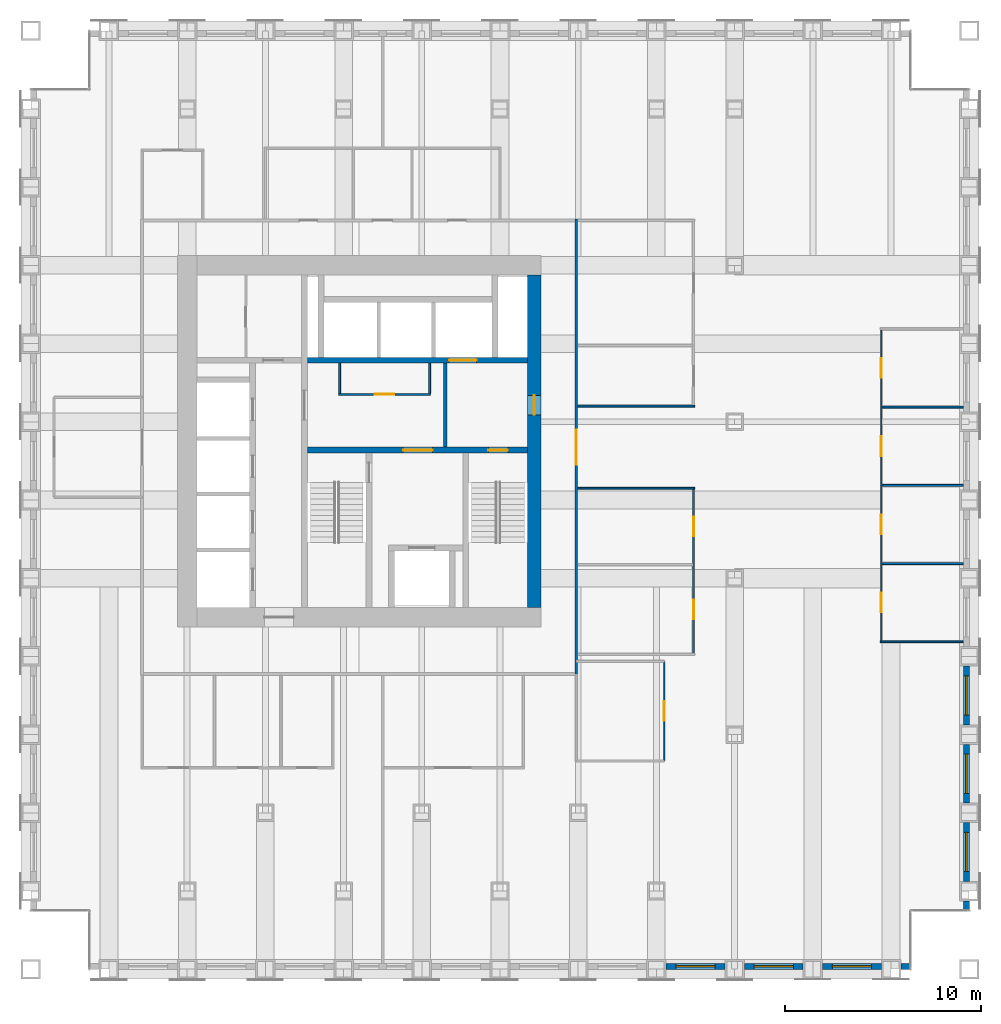
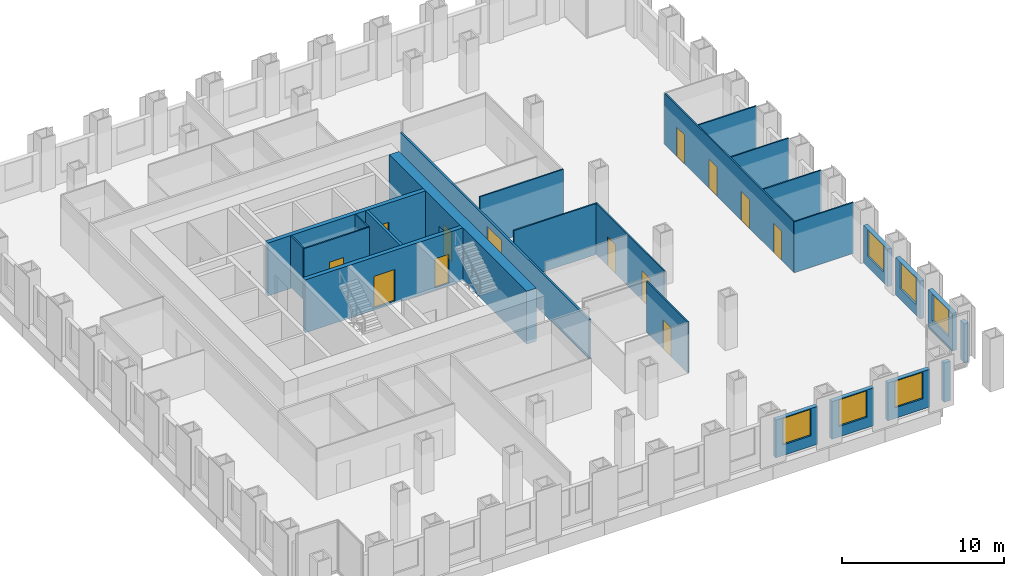
# One storey, part 12 of 16: 25 walls, 13 doors, 6 windows, 19 openings.
"""IFC4 building model written with IfcOpenShell, lengths in metres."""

from ifc_helpers import new_model, si_unit, direction, frame, frame_2d, origin, place, context, subcontext, project, spatial, rectangle, extrude, material, layer, layer_set, type_object, element, fill, save


model = new_model("IFC4")

# Units and contexts
model_context = context("Model", 3, precision=1e-05, world=origin(), true_north=direction((0.0, 1.0)))
body_context = subcontext(model_context, "Body", "Model", "MODEL_VIEW")
ifc_project = project(units=[si_unit("LENGTHUNIT", "METRE"), si_unit("AREAUNIT", "SQUARE_METRE"), si_unit("VOLUMEUNIT", "CUBIC_METRE"), si_unit("PLANEANGLEUNIT", "RADIAN"), si_unit("MASSUNIT", "GRAM", prefix="KILO")], contexts=[model_context])

# Site, building, storey
site_placement = place(None, origin())
site = spatial("IfcSite", under=ifc_project, at=site_placement, CompositionType="ELEMENT")
building_placement = place(site_placement, origin())
building = spatial("IfcBuilding", under=site, at=building_placement, Name="Rimbunsela Tower", CompositionType="ELEMENT")
storey_placement = place(building_placement, frame((0.0, 0.0, 85.39990234375)))
storey = spatial("IfcBuildingStorey", under=building, at=storey_placement, Name="L20", CompositionType="ELEMENT", Elevation=85.39990234375)

# Wall, openings, doors
ifc_material_1 = material(Name="Concrete fc' 80 MPa", Category="concrete")
ifc_layer_1 = layer(ifc_material_1, 0.300048828125)
ifc_layer_set_1 = layer_set([ifc_layer_1], Name="Core internal wall 300")
wall_type_1 = type_object("IfcWallType", Name="Core internal wall 300", PredefinedType="SHEAR", material=ifc_layer_set_1)
wall_1_placement = place(storey_placement, frame((24.14990234375, 26.550048828125, -0.14990234375), z_axis=(0.0, 0.0, 1.0), x_axis=(1.0, 0.0, 0.0)))
wall_1 = element("IfcWall", 1, at=wall_1_placement, inside=storey, type_object=wall_type_1, Name="Core wall lobby south", PredefinedType="SHEAR", context=body_context, shape_type="SweptSolid", body=[
    extrude(rectangle(XDim=11.25, YDim=0.300048828125, at=frame_2d((5.625, 0.0))), origin(), (0.0, 0.0, 1.0), 4.0),
])
opening_1_placement = place(wall_1_placement, frame((9.25, 0.0, 0.14990234375)))
opening_1 = element("IfcOpeningElement", 2, at=opening_1_placement, cuts=wall_1, Name="Opening D01", PredefinedType="OPENING", context=body_context, shape_type="SweptSolid", body=[
    extrude(rectangle(XDim=1.0, YDim=2.199951171875, at=frame_2d((0.5, 1.10009765625))), frame((0.0, 0.159912109375, 0.0), z_axis=(0.0, -1.0, 0.0), x_axis=(1.0, 0.0, 0.0)), (0.0, 0.0, 1.0), 0.320068359375),
])
opening_2_placement = place(wall_1_placement, frame((4.89990234375, 0.0, 0.14990234375)))
opening_2 = element("IfcOpeningElement", 3, at=opening_2_placement, cuts=wall_1, Name="Opening D03", PredefinedType="OPENING", context=body_context, shape_type="SweptSolid", body=[
    extrude(rectangle(XDim=1.5, YDim=2.39990234375, at=frame_2d((0.75, 1.199951171875))), frame((0.0, 0.159912109375, 0.0), z_axis=(0.0, -1.0, 0.0), x_axis=(1.0, 0.0, 0.0)), (0.0, 0.0, 1.0), 0.320068359375),
])
ifc_material_2 = material(Name="Steel door, fire rated", Category="steel")
door_type_1 = type_object("IfcDoorType", Name="Core lobby door 1500", OperationType="DOUBLE_DOOR_DOUBLE_SWING", PredefinedType="DOOR", material=ifc_material_2)
door_1_placement = place(opening_2_placement, origin())
door_1 = element("IfcDoor", 4, at=door_1_placement, inside=storey, type_object=door_type_1, Name="Firefighting lobby door", OperationType="DOUBLE_DOOR_DOUBLE_SWING", OverallHeight=2.39990234375, OverallWidth=1.5, PredefinedType="DOOR", context=body_context, shape_type="SweptSolid", body=[
    extrude(rectangle(XDim=1.5, YDim=2.39990234375, at=frame_2d((0.75, 1.199951171875))), frame((0.0, 0.02490234375, 0.0), z_axis=(0.0, -1.0, 0.0), x_axis=(1.0, 0.0, 0.0)), (0.0, 0.0, 1.0), 0.050048828125),
])
fill(opening_2, door_1)
ifc_material_3 = material(Name="Steel door, fire rated", Category="steel")
door_type_2 = type_object("IfcDoorType", Name="Stair door 1000", OperationType="SINGLE_SWING_RIGHT", PredefinedType="DOOR", material=ifc_material_3)
door_2_placement = place(opening_1_placement, frame((1.0, 0.0, 0.0), z_axis=(0.0, 0.0, 1.0), x_axis=(-1.0, 0.0, 0.0)))
door_2 = element("IfcDoor", 5, at=door_2_placement, inside=storey, type_object=door_type_2, Name="Stair B door", OperationType="SINGLE_SWING_RIGHT", OverallHeight=2.199951171875, OverallWidth=1.0, PredefinedType="DOOR", context=body_context, shape_type="SweptSolid", body=[
    extrude(rectangle(XDim=1.0, YDim=2.199951171875, at=frame_2d((0.5, 1.10009765625))), frame((0.0, 0.02490234375, 0.0), z_axis=(0.0, -1.0, 0.0), x_axis=(1.0, 0.0, 0.0)), (0.0, 0.0, 1.0), 0.050048828125),
])
fill(opening_1, door_2)

# Wall, opening, door
wall_2_placement = place(storey_placement, frame((24.14990234375, 31.14990234375, -0.14990234375), z_axis=(0.0, 0.0, 1.0), x_axis=(1.0, 0.0, 0.0)))
wall_2 = element("IfcWall", 6, at=wall_2_placement, inside=storey, type_object=wall_type_1, Name="Lift shaft front north", PredefinedType="SHEAR", context=body_context, shape_type="SweptSolid", body=[
    extrude(rectangle(XDim=11.25, YDim=0.300048828125, at=frame_2d((5.625, 0.0))), origin(), (0.0, 0.0, 1.0), 4.0),
])
opening_3_placement = place(wall_2_placement, frame((7.25, 0.0, 0.14990234375)))
opening_3 = element("IfcOpeningElement", 7, at=opening_3_placement, cuts=wall_2, Name="Opening LD3", PredefinedType="OPENING", context=body_context, shape_type="SweptSolid", body=[
    extrude(rectangle(XDim=1.39990234375, YDim=2.39990234375, at=frame_2d((0.699951171875, 1.199951171875))), frame((0.0, 0.159912109375, 0.0), z_axis=(0.0, -1.0, 0.0), x_axis=(1.0, 0.0, 0.0)), (0.0, 0.0, 1.0), 0.320068359375),
])
ifc_material_4 = material(Name="Steel door, fire rated", Category="steel")
door_type_3 = type_object("IfcDoorType", Name="Lift landing door 1400", OperationType="DOUBLE_DOOR_SLIDING", PredefinedType="DOOR", material=ifc_material_4)
door_3_placement = place(opening_3_placement, origin())
door_3 = element("IfcDoor", 8, at=door_3_placement, inside=storey, type_object=door_type_3, Name="Lift landing door FL2", OperationType="DOUBLE_DOOR_SLIDING", OverallHeight=2.39990234375, OverallWidth=1.39990234375, PredefinedType="DOOR", context=body_context, shape_type="SweptSolid", body=[
    extrude(rectangle(XDim=1.39990234375, YDim=2.39990234375, at=frame_2d((0.699951171875, 1.199951171875))), frame((0.0, 0.02490234375, 0.0), z_axis=(0.0, -1.0, 0.0), x_axis=(1.0, 0.0, 0.0)), (0.0, 0.0, 1.0), 0.050048828125),
])
fill(opening_3, door_3)

ifc_material_5 = material(Name="Concrete blockwork", Category="masonry")
ifc_layer_2 = layer(ifc_material_5, 0.10009765625)
ifc_layer_set_2 = layer_set([ifc_layer_2], Name="Core room partition 100")
wall_type_2 = type_object("IfcWallType", Name="Core room partition 100", PredefinedType="PARTITIONING", material=ifc_layer_set_2)
wall_3_placement = place(storey_placement, frame((25.75, 29.39990234375, 0.0), z_axis=(0.0, 0.0, 1.0), x_axis=(1.0, 0.0, 0.0)))
wall_3 = element("IfcWall", 9, at=wall_3_placement, inside=storey, type_object=wall_type_2, Name="Lobby room wall", PredefinedType="PARTITIONING", context=body_context, shape_type="SweptSolid", body=[
    extrude(rectangle(XDim=4.699951171875, YDim=0.10009765625, at=frame_2d((2.35009765625, 0.0))), origin(), (0.0, 0.0, 1.0), 3.85009765625),
])
opening_4_placement = place(wall_3_placement, frame((1.85009765625, 0.0, 0.0)))
opening_4 = element("IfcOpeningElement", 10, at=opening_4_placement, cuts=wall_3, Name="Opening D19", PredefinedType="OPENING", context=body_context, shape_type="SweptSolid", body=[
    extrude(rectangle(XDim=1.0, YDim=2.199951171875, at=frame_2d((0.5, 1.10009765625))), frame((0.0, 0.06005859375, 0.0), z_axis=(0.0, -1.0, 0.0), x_axis=(1.0, 0.0, 0.0)), (0.0, 0.0, 1.0), 0.1201171875),
])
ifc_material_6 = material(Name="Steel door, fire rated", Category="steel")
door_type_4 = type_object("IfcDoorType", Name="Service door 1000 fire rated", OperationType="SINGLE_SWING_LEFT", PredefinedType="DOOR", material=ifc_material_6)
door_4_placement = place(opening_4_placement, origin())
door_4 = element("IfcDoor", 11, at=door_4_placement, inside=storey, type_object=door_type_4, Name="Staff pantry door", OperationType="SINGLE_SWING_LEFT", OverallHeight=2.199951171875, OverallWidth=1.0, PredefinedType="DOOR", context=body_context, shape_type="SweptSolid", body=[
    extrude(rectangle(XDim=1.0, YDim=2.199951171875, at=frame_2d((0.5, 1.10009765625))), frame((0.0, 0.02490234375, 0.0), z_axis=(0.0, -1.0, 0.0), x_axis=(1.0, 0.0, 0.0)), (0.0, 0.0, 1.0), 0.050048828125),
])
fill(opening_4, door_4)

# Walls
for number, where, z_axis, x_axis, name in (
    (12, (25.800048828125, 29.449951171875, 0.0), (0.0, 0.0, 1.0), (0.0, 1.0, 0.0), "Lobby room wall"),
    (13, (30.39990234375, 29.449951171875, 0.0), (0.0, 0.0, 1.0), (0.0, 1.0, 0.0), "Lobby room wall"),
):
    element("IfcWall", number, at=place(storey_placement, frame(where, z_axis=z_axis, x_axis=x_axis)), inside=storey, type_object=wall_type_2, Name=name, PredefinedType="PARTITIONING", context=body_context, shape_type="SweptSolid", body=[
        extrude(rectangle(XDim=1.550048828125, YDim=0.10009765625, at=frame_2d((0.77490234375, 0.0))), origin(), (0.0, 0.0, 1.0), 3.85009765625),
    ])

# Wall, opening, door
ifc_material_7 = material(Name="Concrete fc' 80 MPa", Category="concrete")
ifc_layer_3 = layer(ifc_material_7, 0.699951171875)
ifc_layer_set_3 = layer_set([ifc_layer_3], Name="Core wall 700 east")
wall_type_3 = type_object("IfcWallType", Name="Core wall 700 east", PredefinedType="SHEAR", material=ifc_layer_set_3)
wall_4_placement = place(storey_placement, frame((35.75, 18.5, -0.14990234375), z_axis=(0.0, 0.0, 1.0), x_axis=(0.0, 1.0, 0.0)))
wall_4 = element("IfcWall", 14, at=wall_4_placement, inside=storey, type_object=wall_type_3, Name="Core wall east", PredefinedType="SHEAR", context=body_context, shape_type="SweptSolid", body=[
    extrude(rectangle(XDim=17.0, YDim=0.699951171875, at=frame_2d((8.5, 0.0))), origin(), (0.0, 0.0, 1.0), 4.0),
])
opening_5_placement = place(wall_4_placement, frame((9.85009765625, 0.0, 0.14990234375)))
opening_5 = element("IfcOpeningElement", 15, at=opening_5_placement, cuts=wall_4, Name="Opening D01", PredefinedType="OPENING", context=body_context, shape_type="SweptSolid", body=[
    extrude(rectangle(XDim=1.0, YDim=2.199951171875, at=frame_2d((0.5, 1.10009765625))), frame((0.0, 0.35986328125, 0.0), z_axis=(0.0, -1.0, 0.0), x_axis=(1.0, 0.0, 0.0)), (0.0, 0.0, 1.0), 0.719970703125),
])
door_5_placement = place(opening_5_placement, origin())
door_5 = element("IfcDoor", 16, at=door_5_placement, inside=storey, type_object=door_type_2, Name="Firefighting lobby 2 door", OperationType="SINGLE_SWING_RIGHT", OverallHeight=2.199951171875, OverallWidth=1.0, PredefinedType="DOOR", context=body_context, shape_type="SweptSolid", body=[
    extrude(rectangle(XDim=1.0, YDim=2.199951171875, at=frame_2d((0.5, 1.10009765625))), frame((0.0, 0.02490234375, 0.0), z_axis=(0.0, -1.0, 0.0), x_axis=(1.0, 0.0, 0.0)), (0.0, 0.0, 1.0), 0.050048828125),
])
fill(opening_5, door_5)

# Walls
ifc_material_8 = material(Name="Concrete blockwork", Category="masonry")
ifc_layer_4 = layer(ifc_material_8, 0.199951171875)
ifc_layer_set_4 = layer_set([ifc_layer_4], Name="Lift shaft wall 200")
wall_type_4 = type_object("IfcWallType", Name="Lift shaft wall 200", PredefinedType="SOLIDWALL", material=ifc_layer_set_4)
wall_5_placement = place(storey_placement, frame((31.199951171875, 26.699951171875, 0.0), z_axis=(0.0, 0.0, 1.0), x_axis=(0.0, 1.0, 0.0)))
element("IfcWall", 17, at=wall_5_placement, inside=storey, type_object=wall_type_4, Name="Firefighting lobby 2 wall", PredefinedType="SOLIDWALL", context=body_context, shape_type="SweptSolid", body=[
    extrude(rectangle(XDim=4.300048828125, YDim=0.199951171875, at=frame_2d((2.14990234375, 0.0))), origin(), (0.0, 0.0, 1.0), 3.85009765625),
])
ifc_material_9 = material(Name="Gypsum board on steel studs", Category="steel")
ifc_layer_5 = layer(ifc_material_9, 0.10009765625)
ifc_layer_set_5 = layer_set([ifc_layer_5], Name="Office partition 100")
wall_type_5 = type_object("IfcWallType", Name="Office partition 100", PredefinedType="PARTITIONING", material=ifc_layer_set_5)
wall_6_placement = place(storey_placement, frame((53.449951171875, 16.75, 0.0), z_axis=(0.0, 0.0, 1.0), x_axis=(1.0, 0.0, 0.0)))
element("IfcWall", 18, at=wall_6_placement, inside=storey, type_object=wall_type_5, Name="Office partition", PredefinedType="PARTITIONING", context=body_context, shape_type="SweptSolid", body=[
    extrude(rectangle(XDim=4.25, YDim=0.10009765625, at=frame_2d((2.125, 0.0))), origin(), (0.0, 0.0, 1.0), 3.85009765625),
])
wall_7_placement = place(storey_placement, frame((53.550048828125, 20.75, 0.0), z_axis=(0.0, 0.0, 1.0), x_axis=(1.0, 0.0, 0.0)))
element("IfcWall", 19, at=wall_7_placement, inside=storey, type_object=wall_type_5, Name="Office partition", PredefinedType="PARTITIONING", context=body_context, shape_type="SweptSolid", body=[
    extrude(rectangle(XDim=4.14990234375, YDim=0.10009765625, at=frame_2d((2.074951171875, 0.0))), origin(), (0.0, 0.0, 1.0), 3.85009765625),
])
wall_8_placement = place(storey_placement, frame((37.97509765625, 24.60009765625, 0.0), z_axis=(0.0, 0.0, 1.0), x_axis=(1.0, 0.0, 0.0)))
element("IfcWall", 20, at=wall_8_placement, inside=storey, type_object=wall_type_5, Name="Office partition", PredefinedType="PARTITIONING", context=body_context, shape_type="SweptSolid", body=[
    extrude(rectangle(XDim=5.974853515625, YDim=0.10009765625, at=frame_2d((2.9873046875, 0.0))), origin(), (0.0, 0.0, 1.0), 3.85009765625),
])
for number, where, z_axis, x_axis, name in (
    (21, (53.550048828125, 24.75, 0.0), (0.0, 0.0, 1.0), (1.0, 0.0, 0.0), "Office partition"),
    (22, (53.550048828125, 28.75, 0.0), (0.0, 0.0, 1.0), (1.0, 0.0, 0.0), "Office partition"),
):
    element("IfcWall", number, at=place(storey_placement, frame(where, z_axis=z_axis, x_axis=x_axis)), inside=storey, type_object=wall_type_5, Name=name, PredefinedType="PARTITIONING", context=body_context, shape_type="SweptSolid", body=[
        extrude(rectangle(XDim=4.14990234375, YDim=0.10009765625, at=frame_2d((2.074951171875, 0.0))), origin(), (0.0, 0.0, 1.0), 3.85009765625),
    ])
wall_9_placement = place(storey_placement, frame((37.97509765625, 28.800048828125, 0.0), z_axis=(0.0, 0.0, 1.0), x_axis=(1.0, 0.0, 0.0)))
element("IfcWall", 23, at=wall_9_placement, inside=storey, type_object=wall_type_5, Name="Office partition", PredefinedType="PARTITIONING", context=body_context, shape_type="SweptSolid", body=[
    extrude(rectangle(XDim=5.974853515625, YDim=0.10009765625, at=frame_2d((2.9873046875, 0.0))), origin(), (0.0, 0.0, 1.0), 3.85009765625),
])

# Wall, openings, doors
wall_10_placement = place(storey_placement, frame((43.89990234375, 16.14990234375, 0.0), z_axis=(0.0, 0.0, 1.0), x_axis=(0.0, 1.0, 0.0)))
wall_10 = element("IfcWall", 24, at=wall_10_placement, inside=storey, type_object=wall_type_5, Name="Office partition", PredefinedType="PARTITIONING", context=body_context, shape_type="SweptSolid", body=[
    extrude(rectangle(XDim=8.400146484375, YDim=0.10009765625, at=frame_2d((4.2001953125, 0.0))), origin(), (0.0, 0.0, 1.0), 3.85009765625),
])
opening_6_placement = place(wall_10_placement, frame((1.75, 0.0, 0.0)))
opening_6 = element("IfcOpeningElement", 25, at=opening_6_placement, cuts=wall_10, Name="Opening D16", PredefinedType="OPENING", context=body_context, shape_type="SweptSolid", body=[
    extrude(rectangle(XDim=1.0, YDim=2.199951171875, at=frame_2d((0.5, 1.10009765625))), frame((0.0, 0.06005859375, 0.0), z_axis=(0.0, -1.0, 0.0), x_axis=(1.0, 0.0, 0.0)), (0.0, 0.0, 1.0), 0.1201171875),
])
opening_7_placement = place(wall_10_placement, frame((6.0, 0.0, 0.0)))
opening_7 = element("IfcOpeningElement", 26, at=opening_7_placement, cuts=wall_10, Name="Opening D16", PredefinedType="OPENING", context=body_context, shape_type="SweptSolid", body=[
    extrude(rectangle(XDim=1.0, YDim=2.199951171875, at=frame_2d((0.5, 1.10009765625))), frame((0.0, 0.06005859375, 0.0), z_axis=(0.0, -1.0, 0.0), x_axis=(1.0, 0.0, 0.0)), (0.0, 0.0, 1.0), 0.1201171875),
])
ifc_material_10 = material(Name="Timber door", Category="wood")
door_type_5 = type_object("IfcDoorType", Name="Office door 1000", OperationType="SINGLE_SWING_LEFT", PredefinedType="DOOR", material=ifc_material_10)
door_6_placement = place(opening_6_placement, origin())
door_6 = element("IfcDoor", 27, at=door_6_placement, inside=storey, type_object=door_type_5, Name="Office door", OperationType="SINGLE_SWING_LEFT", OverallHeight=2.199951171875, OverallWidth=1.0, PredefinedType="DOOR", context=body_context, shape_type="SweptSolid", body=[
    extrude(rectangle(XDim=1.0, YDim=2.199951171875, at=frame_2d((0.5, 1.10009765625))), frame((0.0, 0.02490234375, 0.0), z_axis=(0.0, -1.0, 0.0), x_axis=(1.0, 0.0, 0.0)), (0.0, 0.0, 1.0), 0.050048828125),
])
fill(opening_6, door_6)
door_7_placement = place(opening_7_placement, origin())
door_7 = element("IfcDoor", 28, at=door_7_placement, inside=storey, type_object=door_type_5, Name="Office door", OperationType="SINGLE_SWING_LEFT", OverallHeight=2.199951171875, OverallWidth=1.0, PredefinedType="DOOR", context=body_context, shape_type="SweptSolid", body=[
    extrude(rectangle(XDim=1.0, YDim=2.199951171875, at=frame_2d((0.5, 1.10009765625))), frame((0.0, 0.02490234375, 0.0), z_axis=(0.0, -1.0, 0.0), x_axis=(1.0, 0.0, 0.0)), (0.0, 0.0, 1.0), 0.050048828125),
])
fill(opening_7, door_7)

wall_11_placement = place(storey_placement, frame((53.5, 16.800048828125, 0.0), z_axis=(0.0, 0.0, 1.0), x_axis=(0.0, 1.0, 0.0)))
wall_11 = element("IfcWall", 29, at=wall_11_placement, inside=storey, type_object=wall_type_5, Name="Office partition", PredefinedType="PARTITIONING", context=body_context, shape_type="SweptSolid", body=[
    extrude(rectangle(XDim=15.89990234375, YDim=0.10009765625, at=frame_2d((7.949951171875, 0.0))), origin(), (0.0, 0.0, 1.0), 3.85009765625),
])
opening_8_placement = place(wall_11_placement, frame((1.449951171875, 0.0, 0.0)))
opening_8 = element("IfcOpeningElement", 30, at=opening_8_placement, cuts=wall_11, Name="Opening D16", PredefinedType="OPENING", context=body_context, shape_type="SweptSolid", body=[
    extrude(rectangle(XDim=1.0, YDim=2.199951171875, at=frame_2d((0.5, 1.10009765625))), frame((0.0, 0.06005859375, 0.0), z_axis=(0.0, -1.0, 0.0), x_axis=(1.0, 0.0, 0.0)), (0.0, 0.0, 1.0), 0.1201171875),
])
opening_9_placement = place(wall_11_placement, frame((5.449951171875, 0.0, 0.0)))
opening_9 = element("IfcOpeningElement", 31, at=opening_9_placement, cuts=wall_11, Name="Opening D16", PredefinedType="OPENING", context=body_context, shape_type="SweptSolid", body=[
    extrude(rectangle(XDim=1.0, YDim=2.199951171875, at=frame_2d((0.5, 1.10009765625))), frame((0.0, 0.06005859375, 0.0), z_axis=(0.0, -1.0, 0.0), x_axis=(1.0, 0.0, 0.0)), (0.0, 0.0, 1.0), 0.1201171875),
])
opening_10_placement = place(wall_11_placement, frame((9.449951171875, 0.0, 0.0)))
opening_10 = element("IfcOpeningElement", 32, at=opening_10_placement, cuts=wall_11, Name="Opening D16", PredefinedType="OPENING", context=body_context, shape_type="SweptSolid", body=[
    extrude(rectangle(XDim=1.0, YDim=2.199951171875, at=frame_2d((0.5, 1.10009765625))), frame((0.0, 0.06005859375, 0.0), z_axis=(0.0, -1.0, 0.0), x_axis=(1.0, 0.0, 0.0)), (0.0, 0.0, 1.0), 0.1201171875),
])
opening_11_placement = place(wall_11_placement, frame((13.449951171875, 0.0, 0.0)))
opening_11 = element("IfcOpeningElement", 33, at=opening_11_placement, cuts=wall_11, Name="Opening D16", PredefinedType="OPENING", context=body_context, shape_type="SweptSolid", body=[
    extrude(rectangle(XDim=1.0, YDim=2.199951171875, at=frame_2d((0.5, 1.10009765625))), frame((0.0, 0.06005859375, 0.0), z_axis=(0.0, -1.0, 0.0), x_axis=(1.0, 0.0, 0.0)), (0.0, 0.0, 1.0), 0.1201171875),
])
door_8_placement = place(opening_8_placement, origin())
door_8 = element("IfcDoor", 34, at=door_8_placement, inside=storey, type_object=door_type_5, Name="Office door", OperationType="SINGLE_SWING_LEFT", OverallHeight=2.199951171875, OverallWidth=1.0, PredefinedType="DOOR", context=body_context, shape_type="SweptSolid", body=[
    extrude(rectangle(XDim=1.0, YDim=2.199951171875, at=frame_2d((0.5, 1.10009765625))), frame((0.0, 0.02490234375, 0.0), z_axis=(0.0, -1.0, 0.0), x_axis=(1.0, 0.0, 0.0)), (0.0, 0.0, 1.0), 0.050048828125),
])
fill(opening_8, door_8)
door_9_placement = place(opening_9_placement, origin())
door_9 = element("IfcDoor", 35, at=door_9_placement, inside=storey, type_object=door_type_5, Name="Office door", OperationType="SINGLE_SWING_LEFT", OverallHeight=2.199951171875, OverallWidth=1.0, PredefinedType="DOOR", context=body_context, shape_type="SweptSolid", body=[
    extrude(rectangle(XDim=1.0, YDim=2.199951171875, at=frame_2d((0.5, 1.10009765625))), frame((0.0, 0.02490234375, 0.0), z_axis=(0.0, -1.0, 0.0), x_axis=(1.0, 0.0, 0.0)), (0.0, 0.0, 1.0), 0.050048828125),
])
fill(opening_9, door_9)
door_10_placement = place(opening_10_placement, origin())
door_10 = element("IfcDoor", 36, at=door_10_placement, inside=storey, type_object=door_type_5, Name="Office door", OperationType="SINGLE_SWING_LEFT", OverallHeight=2.199951171875, OverallWidth=1.0, PredefinedType="DOOR", context=body_context, shape_type="SweptSolid", body=[
    extrude(rectangle(XDim=1.0, YDim=2.199951171875, at=frame_2d((0.5, 1.10009765625))), frame((0.0, 0.02490234375, 0.0), z_axis=(0.0, -1.0, 0.0), x_axis=(1.0, 0.0, 0.0)), (0.0, 0.0, 1.0), 0.050048828125),
])
fill(opening_10, door_10)
door_11_placement = place(opening_11_placement, origin())
door_11 = element("IfcDoor", 37, at=door_11_placement, inside=storey, type_object=door_type_5, Name="Office door", OperationType="SINGLE_SWING_LEFT", OverallHeight=2.199951171875, OverallWidth=1.0, PredefinedType="DOOR", context=body_context, shape_type="SweptSolid", body=[
    extrude(rectangle(XDim=1.0, YDim=2.199951171875, at=frame_2d((0.5, 1.10009765625))), frame((0.0, 0.02490234375, 0.0), z_axis=(0.0, -1.0, 0.0), x_axis=(1.0, 0.0, 0.0)), (0.0, 0.0, 1.0), 0.050048828125),
])
fill(opening_11, door_11)

# Wall, opening, door
wall_12_placement = place(storey_placement, frame((42.39990234375, 10.64990234375, 0.0), z_axis=(0.0, 0.0, 1.0), x_axis=(0.0, 1.0, 0.0)))
wall_12 = element("IfcWall", 38, at=wall_12_placement, inside=storey, type_object=wall_type_5, Name="Office partition", PredefinedType="PARTITIONING", context=body_context, shape_type="SweptSolid", body=[
    extrude(rectangle(XDim=5.10009765625, YDim=0.10009765625, at=frame_2d((2.550048828125, 0.0))), origin(), (0.0, 0.0, 1.0), 3.85009765625),
])
opening_12_placement = place(wall_12_placement, frame((2.050048828125, 0.0, 0.0)))
opening_12 = element("IfcOpeningElement", 39, at=opening_12_placement, cuts=wall_12, Name="Opening D17", PredefinedType="OPENING", context=body_context, shape_type="SweptSolid", body=[
    extrude(rectangle(XDim=1.0, YDim=2.199951171875, at=frame_2d((0.5, 1.10009765625))), frame((0.0, 0.06005859375, 0.0), z_axis=(0.0, -1.0, 0.0), x_axis=(1.0, 0.0, 0.0)), (0.0, 0.0, 1.0), 0.1201171875),
])
ifc_material_11 = material(Name="Glazed aluminium door", Category="aluminium")
door_type_6 = type_object("IfcDoorType", Name="Meeting room door 1000 glazed", OperationType="SINGLE_SWING_RIGHT", PredefinedType="DOOR", material=ifc_material_11)
door_12_placement = place(opening_12_placement, origin())
door_12 = element("IfcDoor", 40, at=door_12_placement, inside=storey, type_object=door_type_6, Name="Reception door", OperationType="SINGLE_SWING_RIGHT", OverallHeight=2.199951171875, OverallWidth=1.0, PredefinedType="DOOR", context=body_context, shape_type="SweptSolid", body=[
    extrude(rectangle(XDim=1.0, YDim=2.199951171875, at=frame_2d((0.5, 1.10009765625))), frame((0.0, 0.02490234375, 0.0), z_axis=(0.0, -1.0, 0.0), x_axis=(1.0, 0.0, 0.0)), (0.0, 0.0, 1.0), 0.050048828125),
])
fill(opening_12, door_12)

# Wall, opening, window
ifc_material_12 = material(Name="Precast concrete fc' 35 MPa", Category="concrete")
ifc_layer_6 = layer(ifc_material_12, 0.300048828125)
ifc_layer_set_6 = layer_set([ifc_layer_6], Name="Precast concrete fc' 35 MPa")
wall_type_6 = type_object("IfcWallType", Name="Precast facade panel 300", PredefinedType="ELEMENTEDWALL", material=ifc_layer_set_6)
wall_13_placement = place(storey_placement, frame((42.5, 0.14990234375, 0.0), z_axis=(0.0, 0.0, 1.0), x_axis=(1.0, 0.0, 0.0)))
wall_13 = element("IfcWall", 41, at=wall_13_placement, inside=storey, type_object=wall_type_6, Name="Facade panel S L20", PredefinedType="ELEMENTEDWALL", context=body_context, shape_type="SweptSolid", body=[
    extrude(rectangle(XDim=3.0, YDim=0.300048828125, at=frame_2d((1.5, 0.0))), origin(), (0.0, 0.0, 1.0), 2.85009765625),
])
opening_13_placement = place(wall_13_placement, frame((0.5, 0.0, 0.800048828125)))
opening_13 = element("IfcOpeningElement", 42, at=opening_13_placement, cuts=wall_13, Name="Opening W1", PredefinedType="OPENING", context=body_context, shape_type="SweptSolid", body=[
    extrude(rectangle(XDim=2.0, YDim=2.0, at=frame_2d((1.0, 1.0))), frame((0.0, 0.159912109375, 0.0), z_axis=(0.0, -1.0, 0.0), x_axis=(1.0, 0.0, 0.0)), (0.0, 0.0, 1.0), 0.320068359375),
])
ifc_material_13 = material(Name="Clear glass in aluminium frame", Category="aluminium")
window_type = type_object("IfcWindowType", Name="Window W1 2000x2000", PartitioningType="DOUBLE_PANEL_VERTICAL", PredefinedType="WINDOW", material=ifc_material_13)
window_1_placement = place(opening_13_placement, origin())
window_1 = element("IfcWindow", 43, at=window_1_placement, inside=storey, type_object=window_type, Name="Window L20", OverallHeight=2.0, OverallWidth=2.0, PartitioningType="SINGLE_PANEL", PredefinedType="WINDOW", context=body_context, shape_type="SweptSolid", body=[
    extrude(rectangle(XDim=2.0, YDim=2.0, at=frame_2d((1.0, 1.0))), frame((0.0, 0.030029296875, 0.0), z_axis=(0.0, -1.0, 0.0), x_axis=(1.0, 0.0, 0.0)), (0.0, 0.0, 1.0), 0.06005859375),
])
fill(opening_13, window_1)

wall_14_placement = place(storey_placement, frame((46.5, 0.14990234375, 0.0), z_axis=(0.0, 0.0, 1.0), x_axis=(1.0, 0.0, 0.0)))
wall_14 = element("IfcWall", 44, at=wall_14_placement, inside=storey, type_object=wall_type_6, Name="Facade panel S L20", PredefinedType="ELEMENTEDWALL", context=body_context, shape_type="SweptSolid", body=[
    extrude(rectangle(XDim=3.0, YDim=0.300048828125, at=frame_2d((1.5, 0.0))), origin(), (0.0, 0.0, 1.0), 2.85009765625),
])
opening_14_placement = place(wall_14_placement, frame((0.5, 0.0, 0.800048828125)))
opening_14 = element("IfcOpeningElement", 45, at=opening_14_placement, cuts=wall_14, Name="Opening W1", PredefinedType="OPENING", context=body_context, shape_type="SweptSolid", body=[
    extrude(rectangle(XDim=2.0, YDim=2.0, at=frame_2d((1.0, 1.0))), frame((0.0, 0.159912109375, 0.0), z_axis=(0.0, -1.0, 0.0), x_axis=(1.0, 0.0, 0.0)), (0.0, 0.0, 1.0), 0.320068359375),
])
window_2_placement = place(opening_14_placement, origin())
window_2 = element("IfcWindow", 46, at=window_2_placement, inside=storey, type_object=window_type, Name="Window L20", OverallHeight=2.0, OverallWidth=2.0, PartitioningType="SINGLE_PANEL", PredefinedType="WINDOW", context=body_context, shape_type="SweptSolid", body=[
    extrude(rectangle(XDim=2.0, YDim=2.0, at=frame_2d((1.0, 1.0))), frame((0.0, 0.030029296875, 0.0), z_axis=(0.0, -1.0, 0.0), x_axis=(1.0, 0.0, 0.0)), (0.0, 0.0, 1.0), 0.06005859375),
])
fill(opening_14, window_2)

wall_15_placement = place(storey_placement, frame((50.5, 0.14990234375, 0.0), z_axis=(0.0, 0.0, 1.0), x_axis=(1.0, 0.0, 0.0)))
wall_15 = element("IfcWall", 47, at=wall_15_placement, inside=storey, type_object=wall_type_6, Name="Facade panel S L20", PredefinedType="ELEMENTEDWALL", context=body_context, shape_type="SweptSolid", body=[
    extrude(rectangle(XDim=3.0, YDim=0.300048828125, at=frame_2d((1.5, 0.0))), origin(), (0.0, 0.0, 1.0), 2.85009765625),
])
opening_15_placement = place(wall_15_placement, frame((0.5, 0.0, 0.800048828125)))
opening_15 = element("IfcOpeningElement", 48, at=opening_15_placement, cuts=wall_15, Name="Opening W1", PredefinedType="OPENING", context=body_context, shape_type="SweptSolid", body=[
    extrude(rectangle(XDim=2.0, YDim=2.0, at=frame_2d((1.0, 1.0))), frame((0.0, 0.159912109375, 0.0), z_axis=(0.0, -1.0, 0.0), x_axis=(1.0, 0.0, 0.0)), (0.0, 0.0, 1.0), 0.320068359375),
])
window_3_placement = place(opening_15_placement, origin())
window_3 = element("IfcWindow", 49, at=window_3_placement, inside=storey, type_object=window_type, Name="Window L20", OverallHeight=2.0, OverallWidth=2.0, PartitioningType="SINGLE_PANEL", PredefinedType="WINDOW", context=body_context, shape_type="SweptSolid", body=[
    extrude(rectangle(XDim=2.0, YDim=2.0, at=frame_2d((1.0, 1.0))), frame((0.0, 0.030029296875, 0.0), z_axis=(0.0, -1.0, 0.0), x_axis=(1.0, 0.0, 0.0)), (0.0, 0.0, 1.0), 0.06005859375),
])
fill(opening_15, window_3)

# Walls
for number, where, z_axis, x_axis, name in (
    (50, (54.5, 0.14990234375, 0.0), (0.0, 0.0, 1.0), (1.0, 0.0, 0.0), "Facade panel S L20"),
    (51, (57.85009765625, 3.030029296875, 0.0), (0.0, 0.0, 1.0), (0.0, 1.0, 0.0), "Facade panel E L20"),
):
    element("IfcWall", number, at=place(storey_placement, frame(where, z_axis=z_axis, x_axis=x_axis)), inside=storey, type_object=wall_type_6, Name=name, PredefinedType="ELEMENTEDWALL", context=body_context, shape_type="SweptSolid", body=[
        extrude(rectangle(XDim=0.469970703125, YDim=0.300048828125, at=frame_2d((0.23486328125, 0.0))), origin(), (0.0, 0.0, 1.0), 2.9501953125),
    ])

# Wall, opening, window
wall_16_placement = place(storey_placement, frame((57.85009765625, 4.5, 0.0), z_axis=(0.0, 0.0, 1.0), x_axis=(0.0, 1.0, 0.0)))
wall_16 = element("IfcWall", 52, at=wall_16_placement, inside=storey, type_object=wall_type_6, Name="Facade panel E L20", PredefinedType="ELEMENTEDWALL", context=body_context, shape_type="SweptSolid", body=[
    extrude(rectangle(XDim=3.0, YDim=0.300048828125, at=frame_2d((1.5, 0.0))), origin(), (0.0, 0.0, 1.0), 2.85009765625),
])
opening_16_placement = place(wall_16_placement, frame((0.5, 0.0, 0.800048828125)))
opening_16 = element("IfcOpeningElement", 53, at=opening_16_placement, cuts=wall_16, Name="Opening W1", PredefinedType="OPENING", context=body_context, shape_type="SweptSolid", body=[
    extrude(rectangle(XDim=2.0, YDim=2.0, at=frame_2d((1.0, 1.0))), frame((0.0, 0.159912109375, 0.0), z_axis=(0.0, -1.0, 0.0), x_axis=(1.0, 0.0, 0.0)), (0.0, 0.0, 1.0), 0.320068359375),
])
window_4_placement = place(opening_16_placement, origin())
window_4 = element("IfcWindow", 54, at=window_4_placement, inside=storey, type_object=window_type, Name="Window L20", OverallHeight=2.0, OverallWidth=2.0, PartitioningType="SINGLE_PANEL", PredefinedType="WINDOW", context=body_context, shape_type="SweptSolid", body=[
    extrude(rectangle(XDim=2.0, YDim=2.0, at=frame_2d((1.0, 1.0))), frame((0.0, 0.030029296875, 0.0), z_axis=(0.0, -1.0, 0.0), x_axis=(1.0, 0.0, 0.0)), (0.0, 0.0, 1.0), 0.06005859375),
])
fill(opening_16, window_4)

wall_17_placement = place(storey_placement, frame((57.85009765625, 8.5, 0.0), z_axis=(0.0, 0.0, 1.0), x_axis=(0.0, 1.0, 0.0)))
wall_17 = element("IfcWall", 55, at=wall_17_placement, inside=storey, type_object=wall_type_6, Name="Facade panel E L20", PredefinedType="ELEMENTEDWALL", context=body_context, shape_type="SweptSolid", body=[
    extrude(rectangle(XDim=3.0, YDim=0.300048828125, at=frame_2d((1.5, 0.0))), origin(), (0.0, 0.0, 1.0), 2.85009765625),
])
opening_17_placement = place(wall_17_placement, frame((0.5, 0.0, 0.800048828125)))
opening_17 = element("IfcOpeningElement", 56, at=opening_17_placement, cuts=wall_17, Name="Opening W1", PredefinedType="OPENING", context=body_context, shape_type="SweptSolid", body=[
    extrude(rectangle(XDim=2.0, YDim=2.0, at=frame_2d((1.0, 1.0))), frame((0.0, 0.159912109375, 0.0), z_axis=(0.0, -1.0, 0.0), x_axis=(1.0, 0.0, 0.0)), (0.0, 0.0, 1.0), 0.320068359375),
])
window_5_placement = place(opening_17_placement, origin())
window_5 = element("IfcWindow", 57, at=window_5_placement, inside=storey, type_object=window_type, Name="Window L20", OverallHeight=2.0, OverallWidth=2.0, PartitioningType="SINGLE_PANEL", PredefinedType="WINDOW", context=body_context, shape_type="SweptSolid", body=[
    extrude(rectangle(XDim=2.0, YDim=2.0, at=frame_2d((1.0, 1.0))), frame((0.0, 0.030029296875, 0.0), z_axis=(0.0, -1.0, 0.0), x_axis=(1.0, 0.0, 0.0)), (0.0, 0.0, 1.0), 0.06005859375),
])
fill(opening_17, window_5)

wall_18_placement = place(storey_placement, frame((57.85009765625, 12.5, 0.0), z_axis=(0.0, 0.0, 1.0), x_axis=(0.0, 1.0, 0.0)))
wall_18 = element("IfcWall", 58, at=wall_18_placement, inside=storey, type_object=wall_type_6, Name="Facade panel E L20", PredefinedType="ELEMENTEDWALL", context=body_context, shape_type="SweptSolid", body=[
    extrude(rectangle(XDim=3.0, YDim=0.300048828125, at=frame_2d((1.5, 0.0))), origin(), (0.0, 0.0, 1.0), 2.85009765625),
])
opening_18_placement = place(wall_18_placement, frame((0.5, 0.0, 0.800048828125)))
opening_18 = element("IfcOpeningElement", 59, at=opening_18_placement, cuts=wall_18, Name="Opening W1", PredefinedType="OPENING", context=body_context, shape_type="SweptSolid", body=[
    extrude(rectangle(XDim=2.0, YDim=2.0, at=frame_2d((1.0, 1.0))), frame((0.0, 0.159912109375, 0.0), z_axis=(0.0, -1.0, 0.0), x_axis=(1.0, 0.0, 0.0)), (0.0, 0.0, 1.0), 0.320068359375),
])
window_6_placement = place(opening_18_placement, origin())
window_6 = element("IfcWindow", 60, at=window_6_placement, inside=storey, type_object=window_type, Name="Window L20", OverallHeight=2.0, OverallWidth=2.0, PartitioningType="SINGLE_PANEL", PredefinedType="WINDOW", context=body_context, shape_type="SweptSolid", body=[
    extrude(rectangle(XDim=2.0, YDim=2.0, at=frame_2d((1.0, 1.0))), frame((0.0, 0.030029296875, 0.0), z_axis=(0.0, -1.0, 0.0), x_axis=(1.0, 0.0, 0.0)), (0.0, 0.0, 1.0), 0.06005859375),
])
fill(opening_18, window_6)

# Wall, opening, door
ifc_material_14 = material(Name="Fire-rated gypsum board on steel studs, EI 60", Category="steel")
ifc_layer_7 = layer(ifc_material_14, 0.14990234375)
ifc_layer_set_7 = layer_set([ifc_layer_7], Name="Rated corridor wall 150")
wall_type_7 = type_object("IfcWallType", Name="Rated corridor wall 150", PredefinedType="PARTITIONING", material=ifc_layer_set_7)
wall_19_placement = place(storey_placement, frame((37.89990234375, 15.02490234375, 0.0), z_axis=(0.0, 0.0, 1.0), x_axis=(0.0, 1.0, 0.0)))
wall_19 = element("IfcWall", 61, at=wall_19_placement, inside=storey, type_object=wall_type_7, Name="Corridor wall east", PredefinedType="PARTITIONING", context=body_context, shape_type="SweptSolid", body=[
    extrude(rectangle(XDim=23.35009765625, YDim=0.14990234375, at=frame_2d((11.675048828125, 0.0))), origin(), (0.0, 0.0, 1.0), 2.9501953125),
])
opening_19_placement = place(wall_19_placement, frame((10.77490234375, 0.0, 0.0)))
opening_19 = element("IfcOpeningElement", 62, at=opening_19_placement, cuts=wall_19, Name="Opening D09", PredefinedType="OPENING", context=body_context, shape_type="SweptSolid", body=[
    extrude(rectangle(XDim=1.800048828125, YDim=2.39990234375, at=frame_2d((0.89990234375, 1.199951171875))), frame((0.0, 0.0849609375, 0.0), z_axis=(0.0, -1.0, 0.0), x_axis=(1.0, 0.0, 0.0)), (0.0, 0.0, 1.0), 0.169921875),
])
ifc_material_15 = material(Name="Glazed aluminium door, fire rated", Category="aluminium")
door_type_7 = type_object("IfcDoorType", Name="Tenancy door 1800 glazed", OperationType="DOUBLE_DOOR_DOUBLE_SWING", PredefinedType="DOOR", material=ifc_material_15)
door_13_placement = place(opening_19_placement, origin())
door_13 = element("IfcDoor", 63, at=door_13_placement, inside=storey, type_object=door_type_7, Name="Tenancy door", OperationType="DOUBLE_DOOR_DOUBLE_SWING", OverallHeight=2.39990234375, OverallWidth=1.800048828125, PredefinedType="DOOR", context=body_context, shape_type="SweptSolid", body=[
    extrude(rectangle(XDim=1.800048828125, YDim=2.39990234375, at=frame_2d((0.89990234375, 1.199951171875))), frame((0.0, 0.02490234375, 0.0), z_axis=(0.0, -1.0, 0.0), x_axis=(1.0, 0.0, 0.0)), (0.0, 0.0, 1.0), 0.050048828125),
])
fill(opening_19, door_13)

save(model, "model.ifc")
